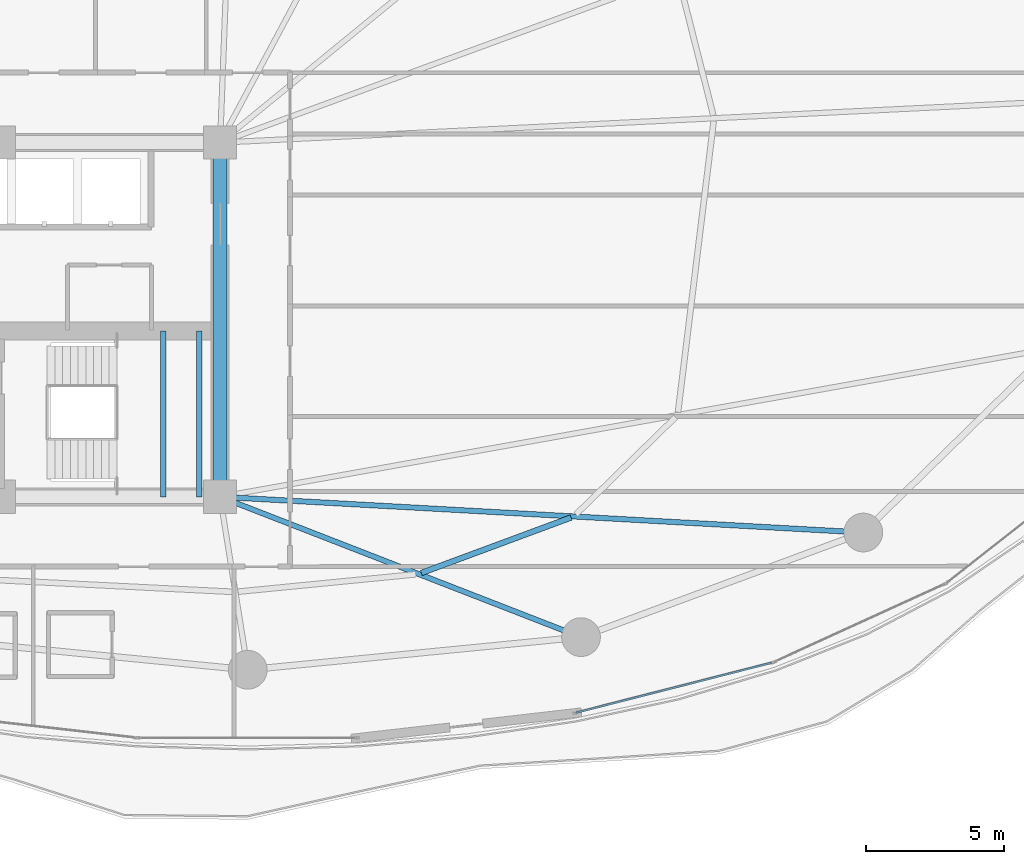
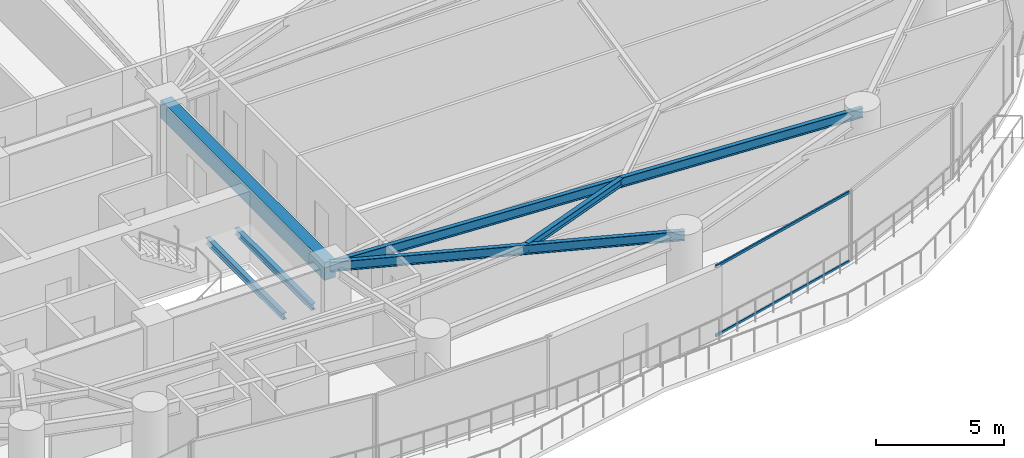
# One storey, part 12 of 32: 6 beams, 2 members, 1 element without a shape of its own.
"""IFC4 building model written with IfcOpenShell, lengths in metres."""

from ifc_helpers import new_model, si_unit, direction, frame, origin, origin_2d, place, context, subcontext, project, spatial, rectangle, hollow_rectangle, i_section, extrude, material, layer, layer_set, material_profile, profile_set, type_object, element, aggregate, save


model = new_model("IFC4")

# Units and contexts
model_context = context("Model", 3, precision=1e-05, world=origin(), true_north=direction((0.0, 1.0)))
body_context = subcontext(model_context, "Body", "Model", "MODEL_VIEW")
ifc_project = project(units=[si_unit("LENGTHUNIT", "METRE"), si_unit("AREAUNIT", "SQUARE_METRE"), si_unit("VOLUMEUNIT", "CUBIC_METRE"), si_unit("PLANEANGLEUNIT", "RADIAN"), si_unit("MASSUNIT", "GRAM", prefix="KILO")], contexts=[model_context])

# Site, building, storey
site_placement = place(None, origin())
site = spatial("IfcSite", under=ifc_project, at=site_placement, CompositionType="ELEMENT")
building_placement = place(site_placement, origin())
building = spatial("IfcBuilding", under=site, at=building_placement, Name="Kazevale Care Tower and Concert Hall", CompositionType="ELEMENT")
storey_placement = place(building_placement, frame((0.0, 0.0, 38.39990234375)))
storey = spatial("IfcBuildingStorey", under=building, at=storey_placement, Name="L09", CompositionType="ELEMENT", Elevation=38.39990234375)

# Curtain wall, members
ifc_material_1 = material(Name="Aluminium 6063-T6 and Low-E Glass", Category="aluminium")
ifc_layer = layer(ifc_material_1, 0.179931640625)
ifc_layer_set = layer_set([ifc_layer], Name="Aluminium 6063-T6 and Low-E Glass")
curtain_wall_type = type_object("IfcCurtainWallType", Name="Sheltered Concave Balcony Curtain Wall CW-5", PredefinedType="NOTDEFINED", material=ifc_layer_set)
curtain_wall_placement = place(storey_placement, origin())
curtain_wall = element("IfcCurtainWall", 1, at=curtain_wall_placement, inside=storey, type_object=curtain_wall_type, Name="cw:L09:f04", PredefinedType="NOTDEFINED")
ifc_material_2 = material(Name="Aluminium 6063-T6", Category="aluminium")
ifc_material_profile_1 = material_profile(ifc_material_2, hollow_rectangle(XDim=0.074951171875, YDim=0.1201171875, WallThickness=0.00390625, at=origin_2d()), Name="ALU75x120x4")
ifc_profile_set_1 = profile_set([ifc_material_profile_1], Name="Aluminium 6063-T6")
member_type = type_object("IfcMemberType", Name="CW-5 Transom ALU75x120x4", PredefinedType="USERDEFINED", material=ifc_profile_set_1)
member_1_placement = place(storey_placement, frame((63.915283203125, 17.599365234375, 0.03759765625), z_axis=(-0.968960816419, -0.24721435283, 0.0), x_axis=(0.24721435283, -0.968960816419, 0.0)))
member_1 = element("IfcMember", 2, at=member_1_placement, type_object=member_type, Name="CW-5 transom 1.1", ObjectType="TRANSOM", PredefinedType="USERDEFINED", context=body_context, shape_type="SweptSolid", body=[
    extrude(hollow_rectangle(XDim=0.074951171875, YDim=0.1201171875, WallThickness=0.00390625, at=origin_2d()), origin(), (0.0, 0.0, 1.0), 7.2763671875),
])
member_2_placement = place(storey_placement, frame((63.915283203125, 17.599365234375, 3.322509765625), z_axis=(-0.968960816419, -0.24721435283, 0.0), x_axis=(0.24721435283, -0.968960816419, 0.0)))
member_2 = element("IfcMember", 3, at=member_2_placement, type_object=member_type, Name="CW-5 transom 1.2", ObjectType="TRANSOM", PredefinedType="USERDEFINED", context=body_context, shape_type="SweptSolid", body=[
    extrude(hollow_rectangle(XDim=0.074951171875, YDim=0.1201171875, WallThickness=0.00390625, at=origin_2d()), origin(), (0.0, 0.0, 1.0), 7.2763671875),
])
aggregate(curtain_wall, [member_1, member_2])

# Beams
ifc_material_3 = material(Name="Concrete C60", Category="concrete")
ifc_material_profile_2 = material_profile(ifc_material_3, rectangle(XDim=0.5, YDim=0.85009765625, at=origin_2d()), Name="RC-B500x850")
ifc_profile_set_2 = profile_set([ifc_material_profile_2], Name="Concrete C60")
beam_type_1 = type_object("IfcBeamType", Name="Core Coupling Beam RC500x850", PredefinedType="LINTEL", material=ifc_profile_set_2)
beam_1_placement = place(storey_placement, frame((44.0, 23.60009765625, 2.93505859375), z_axis=(0.0, 1.0, 0.0), x_axis=(-1.0, 0.0, 0.0)))
element("IfcBeam", 4, at=beam_1_placement, inside=storey, type_object=beam_type_1, Name="beam:L09:coretie:4", PredefinedType="LINTEL", context=body_context, shape_type="SweptSolid", body=[
    extrude(rectangle(XDim=0.5, YDim=0.85009765625, at=origin_2d()), origin(), (0.0, 0.0, 1.0), 12.7998046875),
])
ifc_material_4 = material(Name="Steel ASTM A572 Gr 50", Category="steel")
ifc_material_profile_3 = material_profile(ifc_material_4, i_section(OverallWidth=0.19091796875, OverallDepth=0.4599609375, WebThickness=0.010009765625, FlangeThickness=0.01611328125, at=origin_2d()), Name="W460x82")
ifc_profile_set_3 = profile_set([ifc_material_profile_3], Name="Steel ASTM A572 Gr 50")
beam_type_2 = type_object("IfcBeamType", Name="Radial Floor Beam W460x82", PredefinedType="BEAM", material=ifc_profile_set_3)
beam_2_placement = place(storey_placement, frame((44.0, 23.60009765625, 3.130126953125), z_axis=(0.932030212407, -0.362380577792, 0.0), x_axis=(0.362380577792, 0.932030212407, 0.0)))
element("IfcBeam", 5, at=beam_2_placement, inside=storey, type_object=beam_type_2, Name="beam:L09:rad:14", PredefinedType="BEAM", context=body_context, shape_type="SweptSolid", body=[
    extrude(i_section(OverallWidth=0.19091796875, OverallDepth=0.4599609375, WebThickness=0.010009765625, FlangeThickness=0.01611328125, at=origin_2d()), origin(), (0.0, 0.0, 1.0), 13.990966796875),
])
beam_3_placement = place(storey_placement, frame((44.0, 23.60009765625, 3.130126953125), z_axis=(0.998462901796, -0.055424125948, 0.0), x_axis=(0.055424125948, 0.998462901796, 0.0)))
element("IfcBeam", 6, at=beam_3_placement, inside=storey, type_object=beam_type_2, Name="beam:L09:rad:15", PredefinedType="BEAM", context=body_context, shape_type="SweptSolid", body=[
    extrude(i_section(OverallWidth=0.19091796875, OverallDepth=0.4599609375, WebThickness=0.010009765625, FlangeThickness=0.01611328125, at=origin_2d()), origin(), (0.0, 0.0, 1.0), 23.27587890625),
])
ifc_material_profile_4 = material_profile(ifc_material_4, i_section(OverallWidth=0.205078125, OverallDepth=0.35400390625, WebThickness=0.009521484375, FlangeThickness=0.016845703125, at=origin_2d()), Name="W360x79")
ifc_profile_set_4 = profile_set([ifc_material_profile_4], Name="Steel ASTM A572 Gr 50")
beam_type_3 = type_object("IfcBeamType", Name="Secondary Floor Joist W360x79", PredefinedType="JOIST", material=ifc_profile_set_4)
beam_4_placement = place(storey_placement, frame((51.27001953125, 20.847900390625, 3.18310546875), z_axis=(0.937698254396, 0.347450692477, 0.0), x_axis=(-0.347450692477, 0.937698254396, 0.0)))
element("IfcBeam", 7, at=beam_4_placement, inside=storey, type_object=beam_type_3, Name="beam:L09:joist:14", PredefinedType="JOIST", context=body_context, shape_type="SweptSolid", body=[
    extrude(i_section(OverallWidth=0.205078125, OverallDepth=0.35400390625, WebThickness=0.009521484375, FlangeThickness=0.016845703125, at=origin_2d()), origin(), (0.0, 0.0, 1.0), 5.773681640625),
])
ifc_material_profile_5 = material_profile(ifc_material_4, i_section(OverallWidth=0.202880859375, OverallDepth=0.302978515625, WebThickness=0.007568359375, FlangeThickness=0.01318359375, at=origin_2d()), Name="W310x60")
ifc_profile_set_5 = profile_set([ifc_material_profile_5], Name="Steel ASTM A572 Gr 50")
beam_type_4 = type_object("IfcBeamType", Name="Stair & Balcony Trimmer W310x60", PredefinedType="BEAM", material=ifc_profile_set_5)
for number, where, z_axis, x_axis, name in (
    (8, (41.949951171875, 23.60009765625, 1.448486328125), (0.0, 1.0, 0.0), (-1.0, 0.0, 0.0), "beam:L09:sttrim:ST2"),
    (9, (43.25, 23.60009765625, 1.448486328125), (0.0, 1.0, 0.0), (-1.0, 0.0, 0.0), "beam:L09:sttrim:ST2b"),
):
    element("IfcBeam", number, at=place(storey_placement, frame(where, z_axis=z_axis, x_axis=x_axis)), inside=storey, type_object=beam_type_4, Name=name, PredefinedType="BEAM", context=body_context, shape_type="SweptSolid", body=[
        extrude(i_section(OverallWidth=0.202880859375, OverallDepth=0.302978515625, WebThickness=0.007568359375, FlangeThickness=0.01318359375, at=origin_2d()), origin(), (0.0, 0.0, 1.0), 6.0),
    ])

save(model, "model.ifc")
